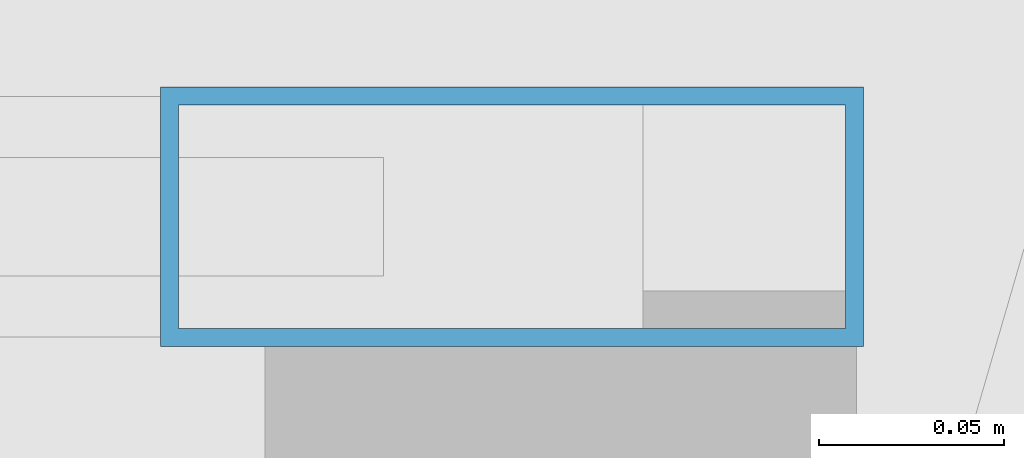
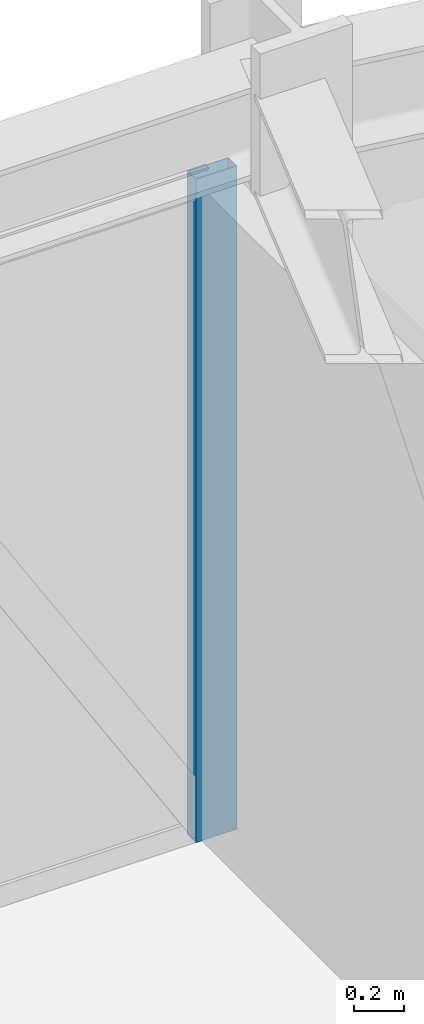
# One storey, part 12 of 20: 1 member, 1 element without a shape of its own.
"""IFC4 building model written with IfcOpenShell, lengths in metres."""

from ifc_helpers import new_model, si_unit, derived_unit, direction, frame, origin, origin_2d, place, context, subcontext, project, spatial, hollow_rectangle, extrude, source, transform, mapped, material, layer, layer_set, material_profile, profile_set, type_object, element, aggregate, save


model = new_model("IFC4")

# Units and contexts
model_context = context("Model", 3, precision=1e-05, world=origin(), true_north=direction((0.0, 1.0)))
body_context = subcontext(model_context, "Body", "Model", "MODEL_VIEW")
ifc_project = project(units=[si_unit("LENGTHUNIT", "METRE"), si_unit("AREAUNIT", "SQUARE_METRE"), si_unit("VOLUMEUNIT", "CUBIC_METRE"), si_unit("PLANEANGLEUNIT", "RADIAN"), si_unit("MASSUNIT", "GRAM", prefix="KILO"), derived_unit("THERMALTRANSMITTANCEUNIT", [(si_unit("POWERUNIT", "WATT"), 1), (si_unit("LENGTHUNIT", "METRE"), -2), (si_unit("THERMODYNAMICTEMPERATUREUNIT", "KELVIN"), -1)])], contexts=[model_context])

# Site, building, storey
site_placement = place(None, origin())
site = spatial("IfcSite", under=ifc_project, at=site_placement, CompositionType="ELEMENT")
building_placement = place(site_placement, origin())
building = spatial("IfcBuilding", under=site, at=building_placement, Name="Korsvarv Bourse and Concert Hall", CompositionType="ELEMENT")
storey_placement = place(building_placement, frame((0.0, 0.0, 87.300048828125)))
storey = spatial("IfcBuildingStorey", under=building, at=storey_placement, Name="L21", CompositionType="ELEMENT", Elevation=87.300048828125)

# Curtain wall, member
ifc_material_1 = material(Name="Anodised aluminium and triple low-E glazing", Category="glass")
ifc_layer = layer(ifc_material_1, 0.219970703125)
ifc_layer_set = layer_set([ifc_layer], Name="Anodised aluminium and triple low-E glazing")
curtain_wall_type = type_object("IfcCurtainWallType", Name="CW-SYS-1", PredefinedType="NOTDEFINED", material=ifc_layer_set)
curtain_wall_placement = place(storey_placement, origin())
curtain_wall = element("IfcCurtainWall", 1, at=curtain_wall_placement, inside=storey, type_object=curtain_wall_type, Name="L21 CW1 curtain wall CW-L21-F03", PredefinedType="NOTDEFINED")
ifc_material_2 = material(Name="Extruded aluminium EN AW-6063 T66", Category="aluminium")
ifc_material_profile = material_profile(ifc_material_2, hollow_rectangle(XDim=0.070068359375, YDim=0.18994140625, WallThickness=0.0048828125, at=origin_2d()), Name="ALU-M 70x190")
ifc_profile_set = profile_set([ifc_material_profile], Name="Extruded aluminium EN AW-6063 T66")
member_type = type_object("IfcMemberType", Name="CWM-190", PredefinedType="MULLION", material=ifc_profile_set)
shared_shape = source(origin(), body_context, "Body", "SweptSolid", [
    extrude(hollow_rectangle(XDim=0.070068359375, YDim=0.18994140625, WallThickness=0.0048828125, at=origin_2d()), origin(), (0.0, 0.0, 1.0), 3.22998046875),
])
member_placement = place(storey_placement, frame((47.2119140625, 55.35791015625, 0.0), z_axis=(0.0, 0.0, 1.0), x_axis=(0.0, -1.0, 0.0)))
member = element("IfcMember", 2, at=member_placement, type_object=member_type, Name="CW1 mullion 1", PredefinedType="MULLION", context=body_context, shape_type="MappedRepresentation", body=[
    mapped(shared_shape, transform((0.0, 0.0, 0.0), scale=1.0)),
])
aggregate(curtain_wall, [member])

save(model, "model.ifc")
